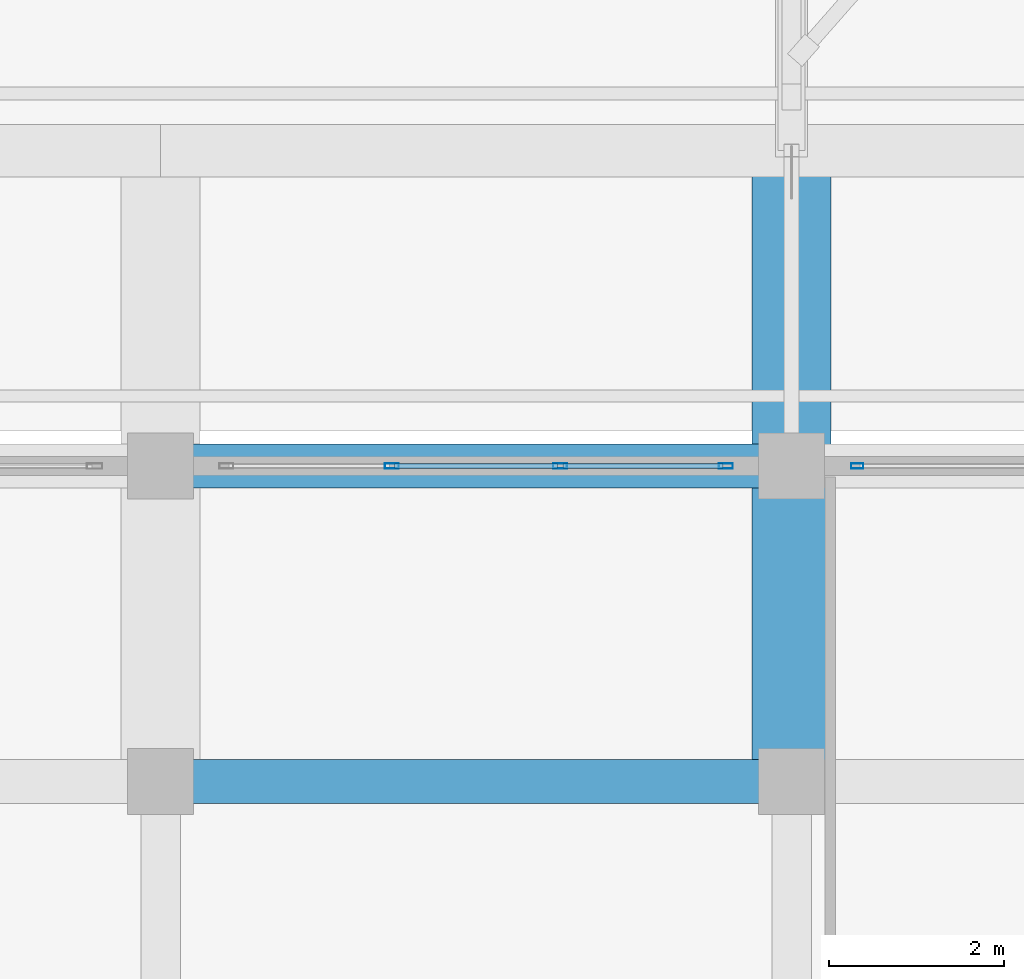
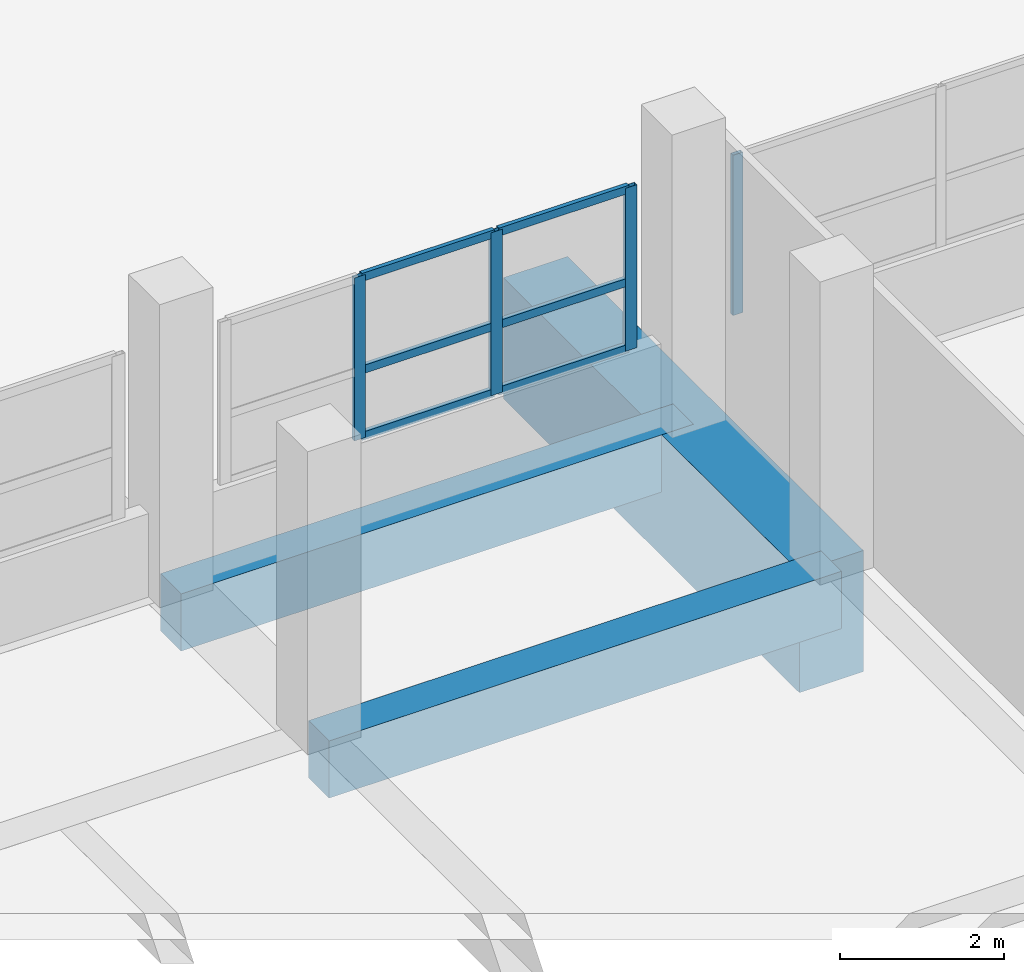
# One storey, part 100 of 141: 10 members, 3 beams, 2 elements without a shape of their own.
"""IFC4 building model written with IfcOpenShell, lengths in metres."""

from ifc_helpers import new_model, si_unit, direction, frame, origin, origin_2d, place, context, subcontext, project, spatial, rectangle, hollow_rectangle, extrude, material, layer, layer_set, material_profile, profile_set, type_object, element, aggregate, save


model = new_model("IFC4")

# Units and contexts
model_context = context("Model", 3, precision=1e-05, world=origin(), true_north=direction((0.0, 1.0)))
body_context = subcontext(model_context, "Body", "Model", "MODEL_VIEW")
ifc_project = project(units=[si_unit("LENGTHUNIT", "METRE"), si_unit("AREAUNIT", "SQUARE_METRE"), si_unit("VOLUMEUNIT", "CUBIC_METRE"), si_unit("PLANEANGLEUNIT", "RADIAN"), si_unit("MASSUNIT", "GRAM", prefix="KILO")], contexts=[model_context])

# Site, building, storey
site_placement = place(None, origin())
site = spatial("IfcSite", under=ifc_project, at=site_placement, CompositionType="ELEMENT")
building_placement = place(site_placement, origin())
building = spatial("IfcBuilding", under=site, at=building_placement, Name="Seraya Terrace Polytechnic", CompositionType="ELEMENT")
storey_placement = place(building_placement, frame((0.0, 0.0, 14.39990234375)))
storey = spatial("IfcBuildingStorey", under=building, at=storey_placement, Name="L03", CompositionType="ELEMENT", Elevation=14.39990234375)

# Beams
ifc_material_1 = material(Name="Concrete C40/50", Category="concrete")
ifc_material_profile_1 = material_profile(ifc_material_1, rectangle(XDim=0.5, YDim=0.85009765625, at=origin_2d()), Name="RC 500x850")
ifc_profile_set_1 = profile_set([ifc_material_profile_1], Name="Concrete C40/50")
beam_type_1 = type_object("IfcBeamType", Name="BM-05", PredefinedType="BEAM", material=ifc_profile_set_1)
for number, where, z_axis, x_axis, name in (
    (1, (93.60009765625, 72.0, -0.4248046875), (1.0, 0.0, 0.0), (0.0, 1.0, 0.0), "Beam BM-05 L03 X (93.6..100.8, 72.0)"),
    (2, (93.60009765625, 75.60009765625, -0.4248046875), (1.0, 0.0, 0.0), (0.0, 1.0, 0.0), "Beam BM-05 L03 X (93.6..100.8, 75.6)"),
):
    element("IfcBeam", number, at=place(storey_placement, frame(where, z_axis=z_axis, x_axis=x_axis)), inside=storey, type_object=beam_type_1, Name=name, PredefinedType="BEAM", context=body_context, shape_type="SweptSolid", body=[
        extrude(rectangle(XDim=0.5, YDim=0.85009765625, at=origin_2d()), origin(), (0.0, 0.0, 1.0), 7.199951171875),
    ])

# Curtain wall, members
ifc_material_2 = material(Name="Anodised aluminium EN AW-6063 T6", Category="aluminium")
ifc_layer_1 = layer(ifc_material_2, 0.179931640625, Name="CW-17")
ifc_layer_set_1 = layer_set([ifc_layer_1], Name="Anodised aluminium EN AW-6063 T6")
curtain_wall_type_1 = type_object("IfcCurtainWallType", Name="CW-17", PredefinedType="NOTDEFINED", material=ifc_layer_set_1)
curtain_wall_1_placement = place(storey_placement, origin())
curtain_wall_1 = element("IfcCurtainWall", 3, at=curtain_wall_1_placement, inside=storey, type_object=curtain_wall_type_1, Name="Unitised curtain wall CW-17 (CW-L03-125)", PredefinedType="NOTDEFINED")
ifc_material_profile_2 = material_profile(ifc_material_2, hollow_rectangle(XDim=0.06005859375, YDim=0.159912109375, WallThickness=0.00341796875, at=origin_2d()), Name="RHS 160x60x3.5")
ifc_profile_set_2 = profile_set([ifc_material_profile_2], Name="Anodised aluminium EN AW-6063 T6")
member_type_1 = type_object("IfcMemberType", Name="CWM-02", PredefinedType="MULLION", material=ifc_profile_set_2)
member_1_placement = place(storey_placement, frame((96.239990234375, 75.60009765625, 1.239990234375), z_axis=(0.0, 0.0, 1.0), x_axis=(0.0, 1.0, 0.0)))
member_1 = element("IfcMember", 4, at=member_1_placement, type_object=member_type_1, Name="CW-17 mullion 2", PredefinedType="MULLION", context=body_context, shape_type="SweptSolid", body=[
    extrude(hollow_rectangle(XDim=0.06005859375, YDim=0.159912109375, WallThickness=0.00341796875, at=origin_2d()), origin(), (0.0, 0.0, 1.0), 2.420166015625),
])
member_2_placement = place(storey_placement, frame((98.159912109375, 75.60009765625, 1.239990234375), z_axis=(0.0, 0.0, 1.0), x_axis=(0.0, 1.0, 0.0)))
member_2 = element("IfcMember", 5, at=member_2_placement, type_object=member_type_1, Name="CW-17 mullion 3", PredefinedType="MULLION", context=body_context, shape_type="SweptSolid", body=[
    extrude(hollow_rectangle(XDim=0.06005859375, YDim=0.159912109375, WallThickness=0.00341796875, at=origin_2d()), origin(), (0.0, 0.0, 1.0), 2.420166015625),
])
member_3_placement = place(storey_placement, frame((100.050048828125, 75.60009765625, 1.239990234375), z_axis=(0.0, 0.0, 1.0), x_axis=(0.0, 1.0, 0.0)))
member_3 = element("IfcMember", 6, at=member_3_placement, type_object=member_type_1, Name="CW-17 mullion 4", PredefinedType="MULLION", context=body_context, shape_type="SweptSolid", body=[
    extrude(hollow_rectangle(XDim=0.06005859375, YDim=0.159912109375, WallThickness=0.00341796875, at=origin_2d()), origin(), (0.0, 0.0, 1.0), 2.420166015625),
])

# Curtain wall, member
ifc_layer_2 = layer(ifc_material_2, 0.179931640625, Name="CW-18")
ifc_layer_set_2 = layer_set([ifc_layer_2], Name="Anodised aluminium EN AW-6063 T6")
curtain_wall_type_2 = type_object("IfcCurtainWallType", Name="CW-18", PredefinedType="NOTDEFINED", material=ifc_layer_set_2)
curtain_wall_2_placement = place(storey_placement, origin())
curtain_wall_2 = element("IfcCurtainWall", 7, at=curtain_wall_2_placement, inside=storey, type_object=curtain_wall_type_2, Name="Unitised curtain wall CW-18 (CW-L03-126)", PredefinedType="NOTDEFINED")
ifc_material_profile_3 = material_profile(ifc_material_2, hollow_rectangle(XDim=0.06005859375, YDim=0.139892578125, WallThickness=0.00341796875, at=origin_2d()), Name="RHS 140x60x3.5")
ifc_profile_set_3 = profile_set([ifc_material_profile_3], Name="Anodised aluminium EN AW-6063 T6")
member_type_2 = type_object("IfcMemberType", Name="CWM-03", PredefinedType="MULLION", material=ifc_profile_set_3)
member_4_placement = place(storey_placement, frame((101.550048828125, 75.60009765625, 1.239990234375), z_axis=(0.0, 0.0, 1.0), x_axis=(0.0, 1.0, 0.0)))
member_4 = element("IfcMember", 8, at=member_4_placement, type_object=member_type_2, Name="CW-18 mullion 1", PredefinedType="MULLION", context=body_context, shape_type="SweptSolid", body=[
    extrude(hollow_rectangle(XDim=0.06005859375, YDim=0.139892578125, WallThickness=0.00341796875, at=origin_2d()), origin(), (0.0, 0.0, 1.0), 2.380126953125),
])
aggregate(curtain_wall_2, [member_4])

# Member
ifc_material_profile_4 = material_profile(ifc_material_2, hollow_rectangle(XDim=0.06005859375, YDim=0.1201171875, WallThickness=0.003173828125, at=origin_2d()), Name="RHS 120x60x3.2")
ifc_profile_set_4 = profile_set([ifc_material_profile_4], Name="Anodised aluminium EN AW-6063 T6")
member_type_3 = type_object("IfcMemberType", Name="CWT-02", PredefinedType="USERDEFINED", material=ifc_profile_set_4)
member_5_placement = place(storey_placement, frame((96.27001953125, 75.60009765625, 1.27001953125), z_axis=(1.0, 0.0, 0.0), x_axis=(0.0, 1.0, 0.0)))
member_5 = element("IfcMember", 9, at=member_5_placement, type_object=member_type_3, Name="CW-17 transom 2.1", ObjectType="TRANSOM", PredefinedType="USERDEFINED", context=body_context, shape_type="SweptSolid", body=[
    extrude(hollow_rectangle(XDim=0.06005859375, YDim=0.1201171875, WallThickness=0.003173828125, at=origin_2d()), origin(), (0.0, 0.0, 1.0), 1.85986328125),
])

member_6_placement = place(storey_placement, frame((96.27001953125, 75.60009765625, 2.256591796875), z_axis=(1.0, 0.0, 0.0), x_axis=(0.0, 1.0, 0.0)))
member_6 = element("IfcMember", 10, at=member_6_placement, type_object=member_type_3, Name="CW-17 transom 2.2", ObjectType="TRANSOM", PredefinedType="USERDEFINED", context=body_context, shape_type="SweptSolid", body=[
    extrude(hollow_rectangle(XDim=0.06005859375, YDim=0.1201171875, WallThickness=0.003173828125, at=origin_2d()), origin(), (0.0, 0.0, 1.0), 1.85986328125),
])

member_7_placement = place(storey_placement, frame((96.27001953125, 75.60009765625, 3.630126953125), z_axis=(1.0, 0.0, 0.0), x_axis=(0.0, 1.0, 0.0)))
member_7 = element("IfcMember", 11, at=member_7_placement, type_object=member_type_3, Name="CW-17 transom 2.3", ObjectType="TRANSOM", PredefinedType="USERDEFINED", context=body_context, shape_type="SweptSolid", body=[
    extrude(hollow_rectangle(XDim=0.06005859375, YDim=0.1201171875, WallThickness=0.003173828125, at=origin_2d()), origin(), (0.0, 0.0, 1.0), 1.85986328125),
])

member_8_placement = place(storey_placement, frame((98.18994140625, 75.60009765625, 1.27001953125), z_axis=(1.0, 0.0, 0.0), x_axis=(0.0, 1.0, 0.0)))
member_8 = element("IfcMember", 12, at=member_8_placement, type_object=member_type_3, Name="CW-17 transom 3.1", ObjectType="TRANSOM", PredefinedType="USERDEFINED", context=body_context, shape_type="SweptSolid", body=[
    extrude(hollow_rectangle(XDim=0.06005859375, YDim=0.1201171875, WallThickness=0.003173828125, at=origin_2d()), origin(), (0.0, 0.0, 1.0), 1.830078125),
])

member_9_placement = place(storey_placement, frame((98.18994140625, 75.60009765625, 2.256591796875), z_axis=(1.0, 0.0, 0.0), x_axis=(0.0, 1.0, 0.0)))
member_9 = element("IfcMember", 13, at=member_9_placement, type_object=member_type_3, Name="CW-17 transom 3.2", ObjectType="TRANSOM", PredefinedType="USERDEFINED", context=body_context, shape_type="SweptSolid", body=[
    extrude(hollow_rectangle(XDim=0.06005859375, YDim=0.1201171875, WallThickness=0.003173828125, at=origin_2d()), origin(), (0.0, 0.0, 1.0), 1.830078125),
])

member_10_placement = place(storey_placement, frame((98.18994140625, 75.60009765625, 3.630126953125), z_axis=(1.0, 0.0, 0.0), x_axis=(0.0, 1.0, 0.0)))
member_10 = element("IfcMember", 14, at=member_10_placement, type_object=member_type_3, Name="CW-17 transom 3.3", ObjectType="TRANSOM", PredefinedType="USERDEFINED", context=body_context, shape_type="SweptSolid", body=[
    extrude(hollow_rectangle(XDim=0.06005859375, YDim=0.1201171875, WallThickness=0.003173828125, at=origin_2d()), origin(), (0.0, 0.0, 1.0), 1.830078125),
])

aggregate(curtain_wall_1, [member_1, member_2, member_3, member_5, member_6, member_7, member_8, member_9, member_10])

# Beam
ifc_material_profile_5 = material_profile(ifc_material_1, rectangle(XDim=0.89990234375, YDim=1.800048828125, at=origin_2d()), Name="RC 900x1800")
ifc_profile_set_5 = profile_set([ifc_material_profile_5], Name="Concrete C40/50")
beam_type_2 = type_object("IfcBeamType", Name="TG-01", PredefinedType="USERDEFINED", material=ifc_profile_set_5)
beam_placement = place(storey_placement, frame((100.800048828125, 72.0, -0.89990234375), z_axis=(0.0, 1.0, 0.0), x_axis=(-1.0, 0.0, 0.0)))
element("IfcBeam", 15, at=beam_placement, inside=storey, type_object=beam_type_2, Name="Transfer girder TG-01 L03 #20", ObjectType="GIRDER", PredefinedType="USERDEFINED", context=body_context, shape_type="SweptSolid", body=[
    extrude(rectangle(XDim=0.89990234375, YDim=1.800048828125, at=origin_2d()), origin(), (0.0, 0.0, 1.0), 7.199951171875),
])

save(model, "model.ifc")
